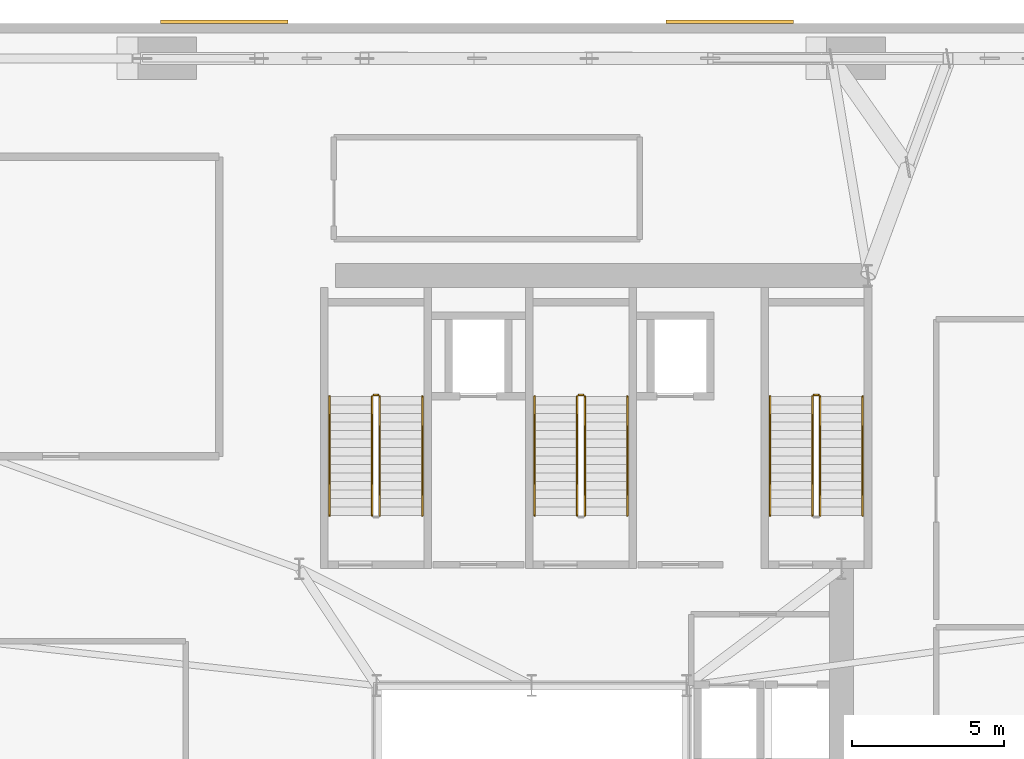
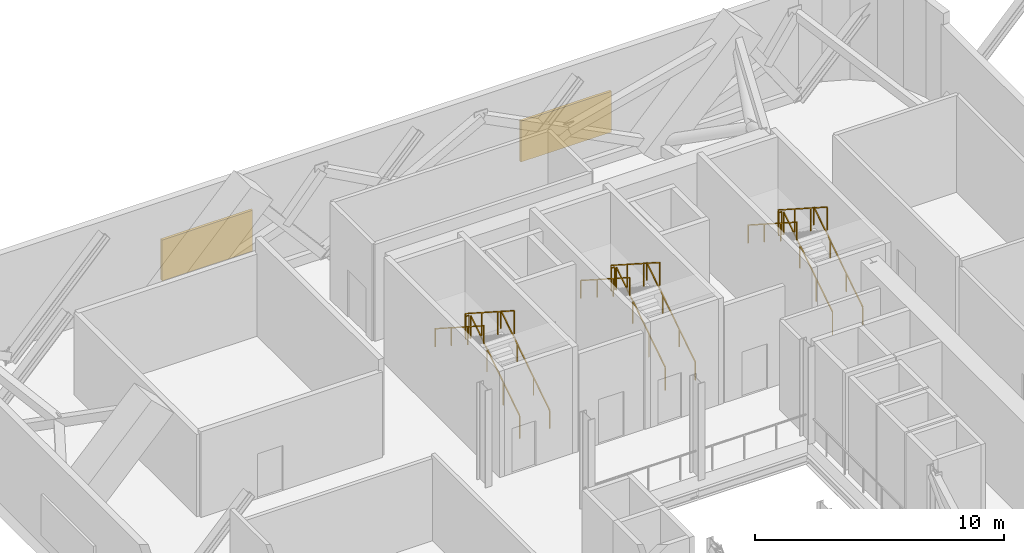
# One storey, part 14 of 14: 15 railings, 2 shading devices.
"""IFC4 building model written with IfcOpenShell, lengths in metres."""

from ifc_helpers import new_model, si_unit, direction, frame, origin, origin_2d, place, context, subcontext, project, spatial, rectangle, extrude, source, transform, mapped, material, layer, layer_set, type_object, element, save


model = new_model("IFC4")

# Units and contexts
model_context = context("Model", 3, precision=1e-05, world=origin(), true_north=direction((0.0, 1.0)))
body_context = subcontext(model_context, "Body", "Model", "MODEL_VIEW")
ifc_project = project(units=[si_unit("LENGTHUNIT", "METRE"), si_unit("AREAUNIT", "SQUARE_METRE"), si_unit("VOLUMEUNIT", "CUBIC_METRE"), si_unit("PLANEANGLEUNIT", "RADIAN"), si_unit("MASSUNIT", "GRAM", prefix="KILO")], contexts=[model_context])

# Site, building, storey
site_placement = place(None, origin())
site = spatial("IfcSite", under=ifc_project, at=site_placement, CompositionType="ELEMENT")
building_placement = place(site_placement, origin())
building = spatial("IfcBuilding", under=site, at=building_placement, Name="Vardaveli Station Tower", CompositionType="ELEMENT")
storey_placement = place(building_placement, frame((0.0, 0.0, 237.300048828125)))
storey = spatial("IfcBuildingStorey", under=building, at=storey_placement, Name="L61", CompositionType="ELEMENT", Elevation=237.300048828125)

# Shading devices
ifc_material_1 = material(Name="Anodised champagne aluminium acoustic louvre", Category="aluminium")
ifc_layer = layer(ifc_material_1, 0.1201171875, Name="Anodised champagne aluminium acoustic louvre")
ifc_layer_set = layer_set([ifc_layer], Name="Anodised champagne aluminium acoustic louvre")
shading_device_type = type_object("IfcShadingDeviceType", Name="SHD-LOUVRE-JAL", PredefinedType="JALOUSIE", material=ifc_layer_set)
shared_shape_1 = source(origin(), body_context, "Body", "SweptSolid", [
    extrude(rectangle(XDim=4.199951171875, YDim=0.1201171875, at=origin_2d()), origin(), (0.0, 0.0, 1.0), 2.0),
])
for number, where, z_axis, x_axis, name in (
    (1, (42.81591796875, 48.654052734375, 0.599853515625), (0.0, 0.0, 1.0), (1.0, 0.0, 0.0), "SHD-LV-L61-N1"),
    (2, (26.18408203125, 48.654052734375, 0.599853515625), (0.0, 0.0, 1.0), (1.0, 0.0, 0.0), "SHD-LV-L61-N2"),
):
    element("IfcShadingDevice", number, at=place(storey_placement, frame(where, z_axis=z_axis, x_axis=x_axis)), inside=storey, type_object=shading_device_type, Name=name, PredefinedType="JALOUSIE", context=body_context, shape_type="MappedRepresentation", body=[
        mapped(shared_shape_1, transform((0.0, 0.0, 0.0), scale=1.0)),
    ])

# Railings
ifc_material_2 = material(Name="Brushed AISI 316 stainless steel", Category="steel")
railing_type_1 = type_object("IfcRailingType", Name="RL-GUARD-1150", PredefinedType="GUARDRAIL", material=ifc_material_2)
shared_shape_2 = source(origin(), body_context, "Body", "SweptSolid", [
    extrude(rectangle(XDim=0.048095703125, YDim=0.048095703125, at=origin_2d()), frame((0.0, 0.0, 1.1259765625), z_axis=(0.0, 0.841186985886, 0.540744352514), x_axis=(-1.0, 0.0, 0.0)), (0.0, 0.0, 1.0), 4.660400390625),
    extrude(rectangle(XDim=0.0419921875, YDim=0.0419921875, at=origin_2d()), origin(), (0.0, 0.0, 1.0), 1.101806640625),
    extrude(rectangle(XDim=0.0419921875, YDim=0.0419921875, at=origin_2d()), frame((0.0, 1.306640625, 0.840087890625)), (0.0, 0.0, 1.0), 1.101806640625),
    extrude(rectangle(XDim=0.0419921875, YDim=0.0419921875, at=origin_2d()), frame((0.0, 2.613525390625, 1.679931640625)), (0.0, 0.0, 1.0), 1.101806640625),
    extrude(rectangle(XDim=0.0419921875, YDim=0.0419921875, at=origin_2d()), frame((0.0, 3.920166015625, 2.52001953125)), (0.0, 0.0, 1.0), 1.101806640625),
])
for number, where, name in (
    (3, (31.300048828125, 32.39990234375, 0.179931640625), "L61 ST-1 stair guard 1"),
    (4, (38.050048828125, 32.39990234375, 0.179931640625), "L61 ST-2 stair guard 1"),
    (5, (45.800048828125, 32.39990234375, 0.179931640625), "L61 ST-3 stair guard 1"),
):
    element("IfcRailing", number, at=place(storey_placement, frame(where)), inside=storey, type_object=railing_type_1, Name=name, PredefinedType="GUARDRAIL", context=body_context, shape_type="MappedRepresentation", body=[
        mapped(shared_shape_2, transform((0.0, 0.0, 0.0), scale=1.0)),
    ])
shared_shape_3 = source(origin(), body_context, "Body", "SweptSolid", [
    extrude(rectangle(XDim=0.048095703125, YDim=0.048095703125, at=origin_2d()), frame((0.0, 0.0, 1.1259765625), z_axis=(-1.0, 0.0, 0.0), x_axis=(0.0, -1.0, 0.0)), (0.0, 0.0, 1.0), 0.14990234375),
    extrude(rectangle(XDim=0.0419921875, YDim=0.0419921875, at=origin_2d()), origin(), (0.0, 0.0, 1.0), 1.101806640625),
    extrude(rectangle(XDim=0.0419921875, YDim=0.0419921875, at=origin_2d()), frame((-0.14990234375, 0.0, 0.0)), (0.0, 0.0, 1.0), 1.101806640625),
])
for number, where, name in (
    (6, (31.25, 36.3701171875, 2.699951171875), "L61 ST-1 stair guard 2"),
    (7, (38.0, 36.3701171875, 2.699951171875), "L61 ST-2 stair guard 2"),
    (8, (45.75, 36.3701171875, 2.699951171875), "L61 ST-3 stair guard 2"),
):
    element("IfcRailing", number, at=place(storey_placement, frame(where)), inside=storey, type_object=railing_type_1, Name=name, PredefinedType="GUARDRAIL", context=body_context, shape_type="MappedRepresentation", body=[
        mapped(shared_shape_3, transform((0.0, 0.0, 0.0), scale=1.0)),
    ])
shared_shape_4 = source(origin(), body_context, "Body", "SweptSolid", [
    extrude(rectangle(XDim=0.048095703125, YDim=0.048095703125, at=origin_2d()), frame((0.0, 0.0, 1.1259765625), z_axis=(0.0, -0.841186985886, 0.540744352514), x_axis=(1.0, 0.0, 0.0)), (0.0, 0.0, 1.0), 4.660400390625),
    extrude(rectangle(XDim=0.0419921875, YDim=0.0419921875, at=origin_2d()), origin(), (0.0, 0.0, 1.0), 1.101806640625),
    extrude(rectangle(XDim=0.0419921875, YDim=0.0419921875, at=origin_2d()), frame((0.0, -1.306640625, 0.840087890625)), (0.0, 0.0, 1.0), 1.101806640625),
    extrude(rectangle(XDim=0.0419921875, YDim=0.0419921875, at=origin_2d()), frame((0.0, -2.613525390625, 1.679931640625)), (0.0, 0.0, 1.0), 1.101806640625),
    extrude(rectangle(XDim=0.0419921875, YDim=0.0419921875, at=origin_2d()), frame((0.0, -3.920166015625, 2.52001953125)), (0.0, 0.0, 1.0), 1.101806640625),
])
for number, where, name in (
    (9, (31.050048828125, 36.320068359375, 2.8798828125), "L61 ST-1 stair guard 3"),
    (10, (37.800048828125, 36.320068359375, 2.8798828125), "L61 ST-2 stair guard 3"),
    (11, (45.550048828125, 36.320068359375, 2.8798828125), "L61 ST-3 stair guard 3"),
):
    element("IfcRailing", number, at=place(storey_placement, frame(where)), inside=storey, type_object=railing_type_1, Name=name, PredefinedType="GUARDRAIL", context=body_context, shape_type="MappedRepresentation", body=[
        mapped(shared_shape_4, transform((0.0, 0.0, 0.0), scale=1.0)),
    ])
railing_type_2 = type_object("IfcRailingType", Name="RL-HAND-900", PredefinedType="HANDRAIL", material=ifc_material_2)
shared_shape_5 = source(origin(), body_context, "Body", "SweptSolid", [
    extrude(rectangle(XDim=0.048095703125, YDim=0.048095703125, at=origin_2d()), frame((0.0, 0.0, 0.8759765625), z_axis=(0.0, 0.841186985886, 0.540744352514), x_axis=(-1.0, 0.0, 0.0)), (0.0, 0.0, 1.0), 4.660400390625),
    extrude(rectangle(XDim=0.0419921875, YDim=0.0419921875, at=origin_2d()), origin(), (0.0, 0.0, 1.0), 0.851806640625),
    extrude(rectangle(XDim=0.0419921875, YDim=0.0419921875, at=origin_2d()), frame((0.0, 1.306640625, 0.840087890625)), (0.0, 0.0, 1.0), 0.851806640625),
    extrude(rectangle(XDim=0.0419921875, YDim=0.0419921875, at=origin_2d()), frame((0.0, 2.613525390625, 1.679931640625)), (0.0, 0.0, 1.0), 0.851806640625),
    extrude(rectangle(XDim=0.0419921875, YDim=0.0419921875, at=origin_2d()), frame((0.0, 3.920166015625, 2.52001953125)), (0.0, 0.0, 1.0), 0.851806640625),
])
for number, where, name in (
    (12, (32.699951171875, 32.39990234375, 0.179931640625), "L61 ST-1 stair handrail 1"),
    (13, (39.449951171875, 32.39990234375, 0.179931640625), "L61 ST-2 stair handrail 1"),
    (14, (47.199951171875, 32.39990234375, 0.179931640625), "L61 ST-3 stair handrail 1"),
):
    element("IfcRailing", number, at=place(storey_placement, frame(where)), inside=storey, type_object=railing_type_2, Name=name, PredefinedType="HANDRAIL", context=body_context, shape_type="MappedRepresentation", body=[
        mapped(shared_shape_5, transform((0.0, 0.0, 0.0), scale=1.0)),
    ])
shared_shape_6 = source(origin(), body_context, "Body", "SweptSolid", [
    extrude(rectangle(XDim=0.048095703125, YDim=0.048095703125, at=origin_2d()), frame((0.0, 0.0, 0.8759765625), z_axis=(0.0, -0.841186985886, 0.540744352514), x_axis=(1.0, 0.0, 0.0)), (0.0, 0.0, 1.0), 4.660400390625),
    extrude(rectangle(XDim=0.0419921875, YDim=0.0419921875, at=origin_2d()), origin(), (0.0, 0.0, 1.0), 0.851806640625),
    extrude(rectangle(XDim=0.0419921875, YDim=0.0419921875, at=origin_2d()), frame((0.0, -1.306640625, 0.840087890625)), (0.0, 0.0, 1.0), 0.851806640625),
    extrude(rectangle(XDim=0.0419921875, YDim=0.0419921875, at=origin_2d()), frame((0.0, -2.613525390625, 1.679931640625)), (0.0, 0.0, 1.0), 0.851806640625),
    extrude(rectangle(XDim=0.0419921875, YDim=0.0419921875, at=origin_2d()), frame((0.0, -3.920166015625, 2.52001953125)), (0.0, 0.0, 1.0), 0.851806640625),
])
for number, where, name in (
    (15, (29.64990234375, 36.320068359375, 2.8798828125), "L61 ST-1 stair handrail 2"),
    (16, (36.39990234375, 36.320068359375, 2.8798828125), "L61 ST-2 stair handrail 2"),
    (17, (44.14990234375, 36.320068359375, 2.8798828125), "L61 ST-3 stair handrail 2"),
):
    element("IfcRailing", number, at=place(storey_placement, frame(where)), inside=storey, type_object=railing_type_2, Name=name, PredefinedType="HANDRAIL", context=body_context, shape_type="MappedRepresentation", body=[
        mapped(shared_shape_6, transform((0.0, 0.0, 0.0), scale=1.0)),
    ])

save(model, "model.ifc")
